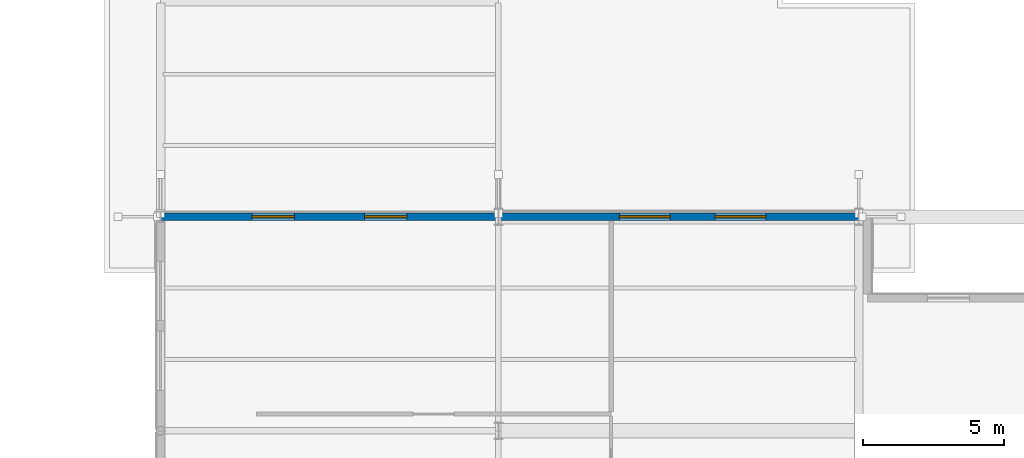
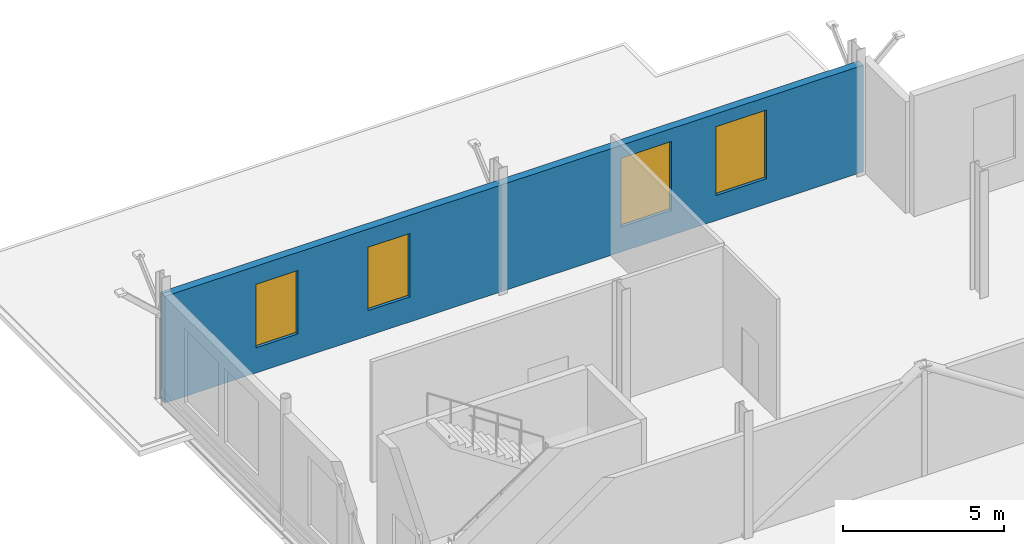
# One storey, part 104 of 120: 4 windows, 2 walls, 4 openings.
"""IFC4 building model written with IfcOpenShell, lengths in metres."""

from ifc_helpers import new_model, si_unit, direction, frame, frame_2d, origin, place, context, subcontext, project, spatial, rectangle, extrude, material, layer, layer_set, type_object, element, fill, save


model = new_model("IFC4")

# Units and contexts
model_context = context("Model", 3, precision=1e-05, world=origin(), true_north=direction((0.0, 1.0)))
body_context = subcontext(model_context, "Body", "Model", "MODEL_VIEW")
ifc_project = project(units=[si_unit("LENGTHUNIT", "METRE"), si_unit("AREAUNIT", "SQUARE_METRE"), si_unit("VOLUMEUNIT", "CUBIC_METRE"), si_unit("PLANEANGLEUNIT", "RADIAN"), si_unit("MASSUNIT", "GRAM", prefix="KILO")], contexts=[model_context])

# Site, building, storey
site_placement = place(None, origin())
site = spatial("IfcSite", under=ifc_project, at=site_placement, CompositionType="ELEMENT")
building_placement = place(site_placement, origin())
building = spatial("IfcBuilding", under=site, at=building_placement, Name="Vekula Escarpment Museum", CompositionType="ELEMENT")
storey_placement = place(building_placement, frame((0.0, 0.0, 13.199951171875)))
storey = spatial("IfcBuildingStorey", under=building, at=storey_placement, Name="L03", CompositionType="ELEMENT", Elevation=13.199951171875)

# Wall, openings, windows
ifc_material_1 = material(Name="Inkisi arkosic sandstone masonry", Category="masonry")
ifc_layer = layer(ifc_material_1, 0.280029296875)
ifc_layer_set = layer_set([ifc_layer], Name="Inkisi arkosic sandstone masonry")
wall_type = type_object("IfcWallType", Name="WL-CUM-280", PredefinedType="SOLIDWALL", material=ifc_layer_set)
wall_1_placement = place(storey_placement, frame((179.0, 128.39990234375, 0.0), z_axis=(0.0, 0.0, 1.0), x_axis=(1.0, 0.0, 0.0)))
wall_1 = element("IfcWall", 1, at=wall_1_placement, inside=storey, type_object=wall_type, Name="Exterior Wall WL-EXT-L03-0612", PredefinedType="SOLIDWALL", context=body_context, shape_type="SweptSolid", body=[
    extrude(rectangle(XDim=12.966064453125, YDim=0.280029296875, at=frame_2d((6.48291015625, 0.0))), origin(), (0.0, 0.0, 1.0), 4.03515625),
])
opening_1_placement = place(wall_1_placement, frame((4.300048828125, 0.0, 0.949951171875)))
opening_1 = element("IfcOpeningElement", 2, at=opening_1_placement, cuts=wall_1, Name="Opening WN-07", PredefinedType="OPENING", context=body_context, shape_type="SweptSolid", body=[
    extrude(rectangle(XDim=1.800048828125, YDim=2.60009765625, at=frame_2d((0.89990234375, 1.300048828125))), frame((0.0, 0.14990234375, 0.0), z_axis=(0.0, -1.0, 0.0), x_axis=(1.0, 0.0, 0.0)), (0.0, 0.0, 1.0), 0.300048828125),
])
opening_2_placement = place(wall_1_placement, frame((7.699951171875, 0.0, 0.949951171875)))
opening_2 = element("IfcOpeningElement", 3, at=opening_2_placement, cuts=wall_1, Name="Opening WN-07", PredefinedType="OPENING", context=body_context, shape_type="SweptSolid", body=[
    extrude(rectangle(XDim=1.800048828125, YDim=2.60009765625, at=frame_2d((0.89990234375, 1.300048828125))), frame((0.0, 0.14990234375, 0.0), z_axis=(0.0, -1.0, 0.0), x_axis=(1.0, 0.0, 0.0)), (0.0, 0.0, 1.0), 0.300048828125),
])
ifc_material_2 = material(Name="Double solar-control low-E glass", Category="glass")
window_type_1 = type_object("IfcWindowType", Name="WN-CUMBA-18x26", PartitioningType="DOUBLE_PANEL_VERTICAL", PredefinedType="WINDOW", material=ifc_material_2)
window_1_placement = place(opening_1_placement, origin())
window_1 = element("IfcWindow", 4, at=window_1_placement, inside=storey, type_object=window_type_1, Name="Window L03-0290", OverallHeight=2.60009765625, OverallWidth=1.800048828125, PartitioningType="SINGLE_PANEL", PredefinedType="WINDOW", context=body_context, shape_type="SweptSolid", body=[
    extrude(rectangle(XDim=1.800048828125, YDim=2.60009765625, at=frame_2d((0.89990234375, 1.300048828125))), frame((0.0, 0.030029296875, 0.0), z_axis=(0.0, -1.0, 0.0), x_axis=(1.0, 0.0, 0.0)), (0.0, 0.0, 1.0), 0.06005859375),
])
fill(opening_1, window_1)
window_2_placement = place(opening_2_placement, origin())
window_2 = element("IfcWindow", 5, at=window_2_placement, inside=storey, type_object=window_type_1, Name="Window L03-0291", OverallHeight=2.60009765625, OverallWidth=1.800048828125, PartitioningType="SINGLE_PANEL", PredefinedType="WINDOW", context=body_context, shape_type="SweptSolid", body=[
    extrude(rectangle(XDim=1.800048828125, YDim=2.60009765625, at=frame_2d((0.89990234375, 1.300048828125))), frame((0.0, 0.030029296875, 0.0), z_axis=(0.0, -1.0, 0.0), x_axis=(1.0, 0.0, 0.0)), (0.0, 0.0, 1.0), 0.06005859375),
])
fill(opening_2, window_2)

wall_2_placement = place(storey_placement, frame((167.0, 128.39990234375, 0.0), z_axis=(0.0, 0.0, 1.0), x_axis=(1.0, 0.0, 0.0)))
wall_2 = element("IfcWall", 6, at=wall_2_placement, inside=storey, type_object=wall_type, Name="Exterior Wall WL-EXT-L03-0613", PredefinedType="SOLIDWALL", context=body_context, shape_type="SweptSolid", body=[
    extrude(rectangle(XDim=12.0, YDim=0.280029296875, at=frame_2d((6.0, 0.0))), origin(), (0.0, 0.0, 1.0), 4.03515625),
])
opening_3_placement = place(wall_2_placement, frame((3.25, 0.0, 0.949951171875)))
opening_3 = element("IfcOpeningElement", 7, at=opening_3_placement, cuts=wall_2, Name="Opening WN-06", PredefinedType="OPENING", context=body_context, shape_type="SweptSolid", body=[
    extrude(rectangle(XDim=1.5, YDim=2.39990234375, at=frame_2d((0.75, 1.199951171875))), frame((0.0, 0.14990234375, 0.0), z_axis=(0.0, -1.0, 0.0), x_axis=(1.0, 0.0, 0.0)), (0.0, 0.0, 1.0), 0.300048828125),
])
opening_4_placement = place(wall_2_placement, frame((7.25, 0.0, 0.949951171875)))
opening_4 = element("IfcOpeningElement", 8, at=opening_4_placement, cuts=wall_2, Name="Opening WN-06", PredefinedType="OPENING", context=body_context, shape_type="SweptSolid", body=[
    extrude(rectangle(XDim=1.5, YDim=2.39990234375, at=frame_2d((0.75, 1.199951171875))), frame((0.0, 0.14990234375, 0.0), z_axis=(0.0, -1.0, 0.0), x_axis=(1.0, 0.0, 0.0)), (0.0, 0.0, 1.0), 0.300048828125),
])
ifc_material_3 = material(Name="Double solar-control low-E glass", Category="glass")
window_type_2 = type_object("IfcWindowType", Name="WN-CUMBA-15x24", PartitioningType="SINGLE_PANEL", PredefinedType="WINDOW", material=ifc_material_3)
window_3_placement = place(opening_3_placement, origin())
window_3 = element("IfcWindow", 9, at=window_3_placement, inside=storey, type_object=window_type_2, Name="Window L03-0292", OverallHeight=2.39990234375, OverallWidth=1.5, PartitioningType="SINGLE_PANEL", PredefinedType="WINDOW", context=body_context, shape_type="SweptSolid", body=[
    extrude(rectangle(XDim=1.5, YDim=2.39990234375, at=frame_2d((0.75, 1.199951171875))), frame((0.0, 0.030029296875, 0.0), z_axis=(0.0, -1.0, 0.0), x_axis=(1.0, 0.0, 0.0)), (0.0, 0.0, 1.0), 0.06005859375),
])
fill(opening_3, window_3)
window_4_placement = place(opening_4_placement, origin())
window_4 = element("IfcWindow", 10, at=window_4_placement, inside=storey, type_object=window_type_2, Name="Window L03-0293", OverallHeight=2.39990234375, OverallWidth=1.5, PartitioningType="SINGLE_PANEL", PredefinedType="WINDOW", context=body_context, shape_type="SweptSolid", body=[
    extrude(rectangle(XDim=1.5, YDim=2.39990234375, at=frame_2d((0.75, 1.199951171875))), frame((0.0, 0.030029296875, 0.0), z_axis=(0.0, -1.0, 0.0), x_axis=(1.0, 0.0, 0.0)), (0.0, 0.0, 1.0), 0.06005859375),
])
fill(opening_4, window_4)

save(model, "model.ifc")
